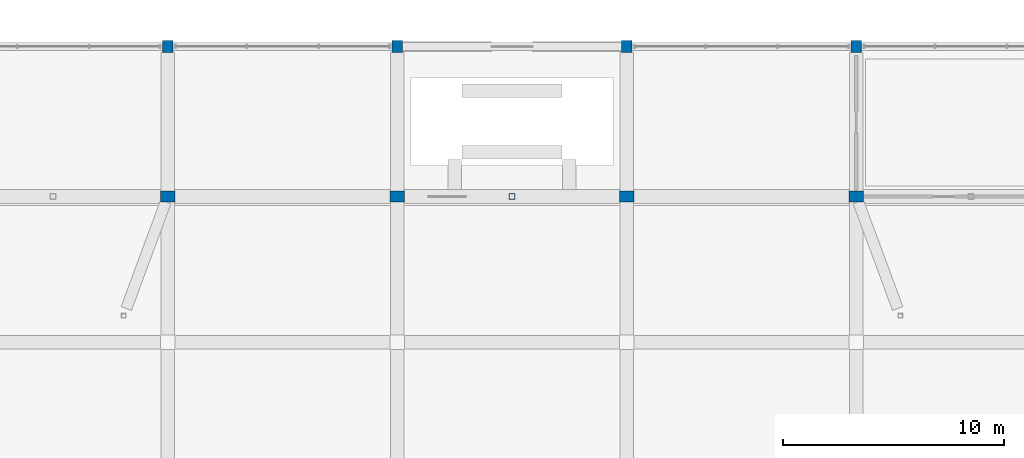
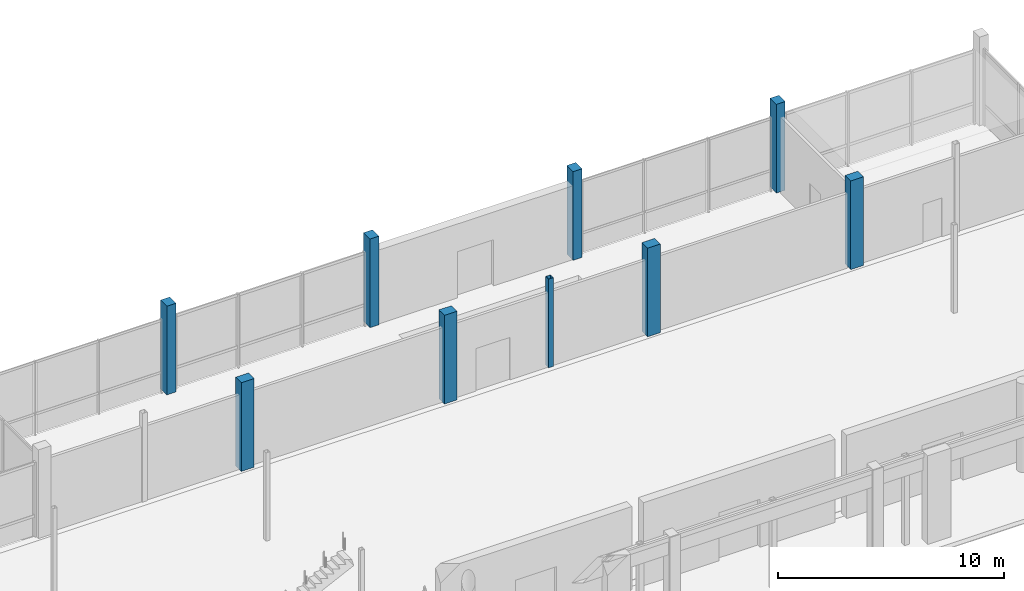
# One storey, part 11 of 88: 9 columns.
"""IFC4 building model written with IfcOpenShell, lengths in metres."""

from ifc_helpers import new_model, si_unit, derived_unit, direction, frame, origin, origin_2d, place, context, subcontext, project, spatial, rectangle, hollow_rectangle, extrude, material, material_profile, profile_set, type_object, element, save


model = new_model("IFC4")

# Units and contexts
model_context = context("Model", 3, precision=1e-05, world=origin(), true_north=direction((0.0, 1.0)))
body_context = subcontext(model_context, "Body", "Model", "MODEL_VIEW")
ifc_project = project(units=[si_unit("LENGTHUNIT", "METRE"), si_unit("AREAUNIT", "SQUARE_METRE"), si_unit("VOLUMEUNIT", "CUBIC_METRE"), si_unit("PLANEANGLEUNIT", "RADIAN"), si_unit("MASSUNIT", "GRAM", prefix="KILO"), derived_unit("THERMALTRANSMITTANCEUNIT", [(si_unit("POWERUNIT", "WATT"), 1), (si_unit("LENGTHUNIT", "METRE"), -2), (si_unit("THERMODYNAMICTEMPERATUREUNIT", "KELVIN"), -1)])], contexts=[model_context])

# Site, building, storey
site_placement = place(None, origin())
site = spatial("IfcSite", under=ifc_project, at=site_placement, CompositionType="ELEMENT")
building_placement = place(site_placement, origin())
building = spatial("IfcBuilding", under=site, at=building_placement, Name="Braskholm Square Health Centre", CompositionType="ELEMENT")
storey_placement = place(building_placement, origin())
storey = spatial("IfcBuildingStorey", under=building, at=storey_placement, Name="L01", CompositionType="ELEMENT", Elevation=0.0)

# Columns
ifc_material_1 = material(Name="Concrete C40/50 (f'c = 40 MPa)", Category="concrete")
ifc_material_profile_1 = material_profile(ifc_material_1, rectangle(XDim=0.64990234375, YDim=0.5, at=origin_2d()), Name="RC-650X500")
ifc_profile_set_1 = profile_set([ifc_material_profile_1], Name="Concrete C40/50 (f'c = 40 MPa)")
column_type_1 = type_object("IfcColumnType", Name="ColHallPier650x500", PredefinedType="COLUMN", material=ifc_profile_set_1)
for number, where, z_axis, x_axis, name in (
    (1, (68.39990234375, 107.0, 0.0), (0.0, 0.0, 1.0), (1.0, 0.0, 0.0), "Column 10/R L01"),
    (2, (78.800048828125, 107.0, 0.0), (0.0, 0.0, 1.0), (1.0, 0.0, 0.0), "Column 11/R L01"),
    (3, (89.199951171875, 107.0, 0.0), (0.0, 0.0, 1.0), (1.0, 0.0, 0.0), "Column 12/R L01"),
    (4, (99.60009765625, 107.0, 0.0), (0.0, 0.0, 1.0), (1.0, 0.0, 0.0), "Column 13/R L01"),
):
    element("IfcColumn", number, at=place(storey_placement, frame(where, z_axis=z_axis, x_axis=x_axis)), inside=storey, type_object=column_type_1, Name=name, PredefinedType="COLUMN", context=body_context, shape_type="SweptSolid", body=[
        extrude(rectangle(XDim=0.64990234375, YDim=0.5, at=origin_2d()), origin(), (0.0, 0.0, 1.0), 4.800048828125),
    ])
ifc_material_2 = material(Name="Precast concrete C40/50 architectural white", Category="concrete")
ifc_material_profile_2 = material_profile(ifc_material_2, rectangle(XDim=0.4599609375, YDim=0.56005859375, at=origin_2d()), Name="RC-460X560")
ifc_profile_set_2 = profile_set([ifc_material_profile_2], Name="Precast concrete C40/50 architectural white")
column_type_2 = type_object("IfcColumnType", Name="ColPrecastFrame460x560", PredefinedType="COLUMN", material=ifc_profile_set_2)
for number, where, z_axis, x_axis, name in (
    (5, (68.39990234375, 113.800048828125, 0.0), (0.0, 0.0, 1.0), (1.0, 0.0, 0.0), "Column 10/S L01"),
    (6, (78.800048828125, 113.800048828125, 0.0), (0.0, 0.0, 1.0), (1.0, 0.0, 0.0), "Column 11/S L01"),
    (7, (89.199951171875, 113.800048828125, 0.0), (0.0, 0.0, 1.0), (1.0, 0.0, 0.0), "Column 12/S L01"),
    (8, (99.60009765625, 113.800048828125, 0.0), (0.0, 0.0, 1.0), (1.0, 0.0, 0.0), "Column 13/S L01"),
):
    element("IfcColumn", number, at=place(storey_placement, frame(where, z_axis=z_axis, x_axis=x_axis)), inside=storey, type_object=column_type_2, Name=name, PredefinedType="COLUMN", context=body_context, shape_type="SweptSolid", body=[
        extrude(rectangle(XDim=0.4599609375, YDim=0.56005859375, at=origin_2d()), origin(), (0.0, 0.0, 1.0), 4.800048828125),
    ])
ifc_material_3 = material(Name="Steel ASTM A500 Grade C", Category="steel")
ifc_material_profile_3 = material_profile(ifc_material_3, hollow_rectangle(XDim=0.25390625, YDim=0.25390625, WallThickness=0.01171875, at=origin_2d()), Name="HSS10X10X1/2")
ifc_profile_set_3 = profile_set([ifc_material_profile_3], Name="Steel ASTM A500 Grade C")
column_type_3 = type_object("IfcColumnType", Name="ColSteelCanopyHSS10", PredefinedType="COLUMN", material=ifc_profile_set_3)
column_placement = place(storey_placement, frame((84.0, 107.0, 0.0), z_axis=(0.0, 0.0, 1.0), x_axis=(1.0, 0.0, 0.0)))
element("IfcColumn", 9, at=column_placement, inside=storey, type_object=column_type_3, Name="Column CS2E L01", PredefinedType="COLUMN", context=body_context, shape_type="SweptSolid", body=[
    extrude(hollow_rectangle(XDim=0.25390625, YDim=0.25390625, WallThickness=0.01171875, at=origin_2d()), origin(), (0.0, 0.0, 1.0), 4.800048828125),
])

save(model, "model.ifc")
